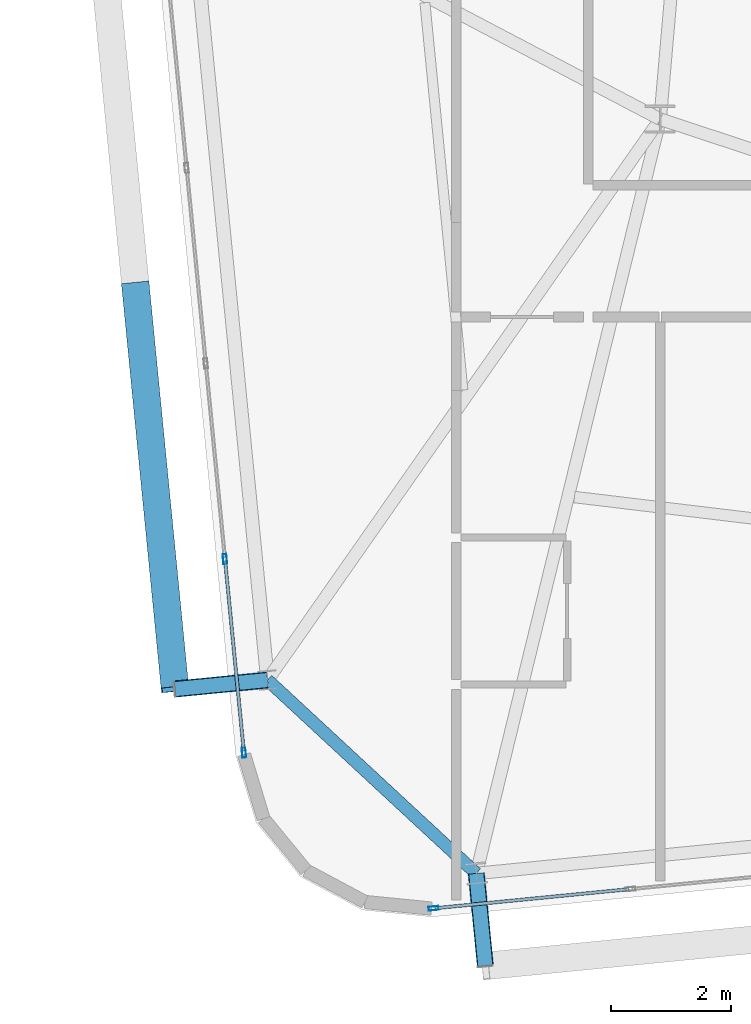
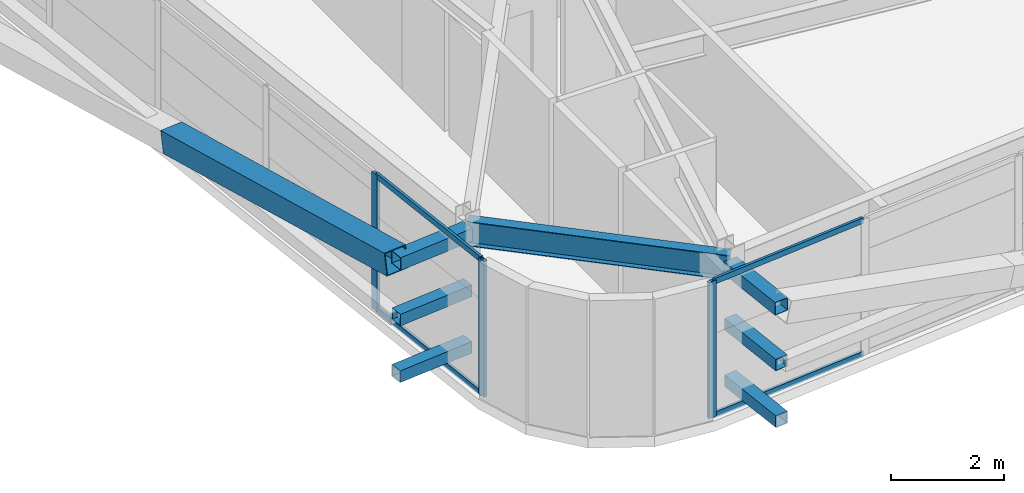
# One storey, part 5 of 52: 14 members, 1 beam, 2 elements without a shape of their own.
"""IFC4 building model written with IfcOpenShell, lengths in metres."""

from ifc_helpers import new_model, si_unit, direction, frame, origin, origin_2d, place, context, subcontext, project, spatial, hollow_rectangle, i_section, extrude, source, transform, mapped, material, layer, layer_set, material_profile, profile_set, type_object, element, aggregate, save


model = new_model("IFC4")

# Units and contexts
model_context = context("Model", 3, precision=1e-05, world=origin(), true_north=direction((0.0, 1.0)))
body_context = subcontext(model_context, "Body", "Model", "MODEL_VIEW")
ifc_project = project(units=[si_unit("LENGTHUNIT", "METRE"), si_unit("AREAUNIT", "SQUARE_METRE"), si_unit("VOLUMEUNIT", "CUBIC_METRE"), si_unit("PLANEANGLEUNIT", "RADIAN"), si_unit("MASSUNIT", "GRAM", prefix="KILO")], contexts=[model_context])

# Site, building, storey
site_placement = place(None, origin())
site = spatial("IfcSite", under=ifc_project, at=site_placement, CompositionType="ELEMENT")
building_placement = place(site_placement, origin())
building = spatial("IfcBuilding", under=site, at=building_placement, Name="Taldren Reach Tower", CompositionType="ELEMENT")
storey_placement = place(building_placement, frame((0.0, 0.0, 77.699951171875)))
storey = spatial("IfcBuildingStorey", under=building, at=storey_placement, Name="L23", CompositionType="ELEMENT", Elevation=77.699951171875)

# Beam
ifc_material_1 = material(Name="Steel Gr 350 (350PLUS)", Category="steel")
ifc_material_profile_1 = material_profile(ifc_material_1, i_section(OverallWidth=0.208984375, OverallDepth=0.528076171875, WebThickness=0.009521484375, FlangeThickness=0.01318359375, at=origin_2d()), Name="530UB82.0")
ifc_profile_set_1 = profile_set([ifc_material_profile_1], Name="Steel Gr 350 (350PLUS)")
beam_type = type_object("IfcBeamType", Name="SP-UB530B", PredefinedType="SPANDREL", material=ifc_profile_set_1)
shared_shape_1 = source(origin(), body_context, "Body", "SweptSolid", [
    extrude(i_section(OverallWidth=0.208984375, OverallDepth=0.528076171875, WebThickness=0.009521484375, FlangeThickness=0.01318359375, at=origin_2d()), origin(), (0.0, 0.0, 1.0), 4.745849609375),
])
beam_placement = place(storey_placement, frame((11.452880859375, 3.145751953125, 2.666015625), z_axis=(0.733524121458, -0.679663419083, 0.0), x_axis=(0.679663419083, 0.733524121458, 0.0)))
element("IfcBeam", 1, at=beam_placement, inside=storey, type_object=beam_type, Name="Perimeter spandrel B2 W1-S1 L23", PredefinedType="SPANDREL", context=body_context, shape_type="MappedRepresentation", body=[
    mapped(shared_shape_1, transform((0.0, 0.0, 0.0), scale=1.0)),
])

# Members
ifc_material_2 = material(Name="Steel Gr 450 (C450L0)", Category="steel")
ifc_material_profile_2 = material_profile(ifc_material_2, hollow_rectangle(XDim=0.27490234375, YDim=0.27490234375, WallThickness=0.00927734375, at=origin_2d()), Name="275x275x9.3SHS")
ifc_profile_set_2 = profile_set([ifc_material_profile_2], Name="Steel Gr 450 (C450L0)")
member_type_1 = type_object("IfcMemberType", Name="MB-TIE273", PredefinedType="STRUT", material=ifc_profile_set_2)
shared_shape_2 = source(origin(), body_context, "Body", "SweptSolid", [
    extrude(hollow_rectangle(XDim=0.27490234375, YDim=0.27490234375, WallThickness=0.00927734375, at=origin_2d()), origin(), (0.0, 0.0, 1.0), 1.550048828125),
])
for number, where, z_axis, x_axis, name in (
    (2, (14.93408203125, -0.079833984375, 2.650146484375), (0.097647892962, -0.9952210252, 0.0), (0.9952210252, 0.097647892962, 0.0), "Exoskeleton diaphragm tie strut B2-S1 L23"),
    (3, (11.452880859375, 3.145751953125, 2.650146484375), (-0.995236318924, -0.097491894511, 0.0), (0.097491894511, -0.995236318924, 0.0), "Exoskeleton diaphragm tie strut B2-W1 L23"),
):
    element("IfcMember", number, at=place(storey_placement, frame(where, z_axis=z_axis, x_axis=x_axis)), inside=storey, type_object=member_type_1, Name=name, PredefinedType="STRUT", context=body_context, shape_type="MappedRepresentation", body=[
        mapped(shared_shape_2, transform((0.0, 0.0, 0.0), scale=1.0)),
    ])
ifc_material_3 = material(Name="Steel Gr 350 (C350L0)", Category="steel")
ifc_material_profile_3 = material_profile(ifc_material_3, hollow_rectangle(XDim=0.25, YDim=0.25, WallThickness=0.010009765625, at=origin_2d()), Name="250x250x10.0SHS")
ifc_profile_set_3 = profile_set([ifc_material_profile_3], Name="Steel Gr 350 (C350L0)")
member_type_2 = type_object("IfcMemberType", Name="MB-POST250", PredefinedType="POST", material=ifc_profile_set_3)
shared_shape_3 = source(origin(), body_context, "Body", "SweptSolid", [
    extrude(hollow_rectangle(XDim=0.25, YDim=0.25, WallThickness=0.010009765625, at=origin_2d()), origin(), (0.0, 0.0, 1.0), 1.550048828125),
])
for number, where, z_axis, x_axis, name in (
    (4, (14.93408203125, -0.079833984375, 0.219970703125), (0.097647892962, -0.9952210252, 0.0), (0.9952210252, 0.097647892962, 0.0), "Exoskeleton base diaphragm tie strut B2-S1 L23"),
    (5, (11.452880859375, 3.145751953125, 0.219970703125), (-0.995236318924, -0.097491894511, 0.0), (0.097491894511, -0.995236318924, 0.0), "Exoskeleton base diaphragm tie strut B2-W1 L23"),
    (6, (14.93408203125, -0.079833984375, 1.43505859375), (0.097647892962, -0.9952210252, 0.0), (0.9952210252, 0.097647892962, 0.0), "Exoskeleton mid-tier diaphragm tie B2-S1 L23"),
    (7, (11.452880859375, 3.145751953125, 1.43505859375), (-0.995236318924, -0.097491894511, 0.0), (0.097491894511, -0.995236318924, 0.0), "Exoskeleton mid-tier diaphragm tie B2-W1 L23"),
):
    element("IfcMember", number, at=place(storey_placement, frame(where, z_axis=z_axis, x_axis=x_axis)), inside=storey, type_object=member_type_2, Name=name, PredefinedType="POST", context=body_context, shape_type="MappedRepresentation", body=[
        mapped(shared_shape_3, transform((0.0, 0.0, 0.0), scale=1.0)),
    ])
ifc_material_profile_4 = material_profile(ifc_material_2, hollow_rectangle(XDim=0.4599609375, YDim=0.4599609375, WallThickness=0.01611328125, at=origin_2d()), Name="460x460x16.0SHS")
ifc_profile_set_4 = profile_set([ifc_material_profile_4], Name="Steel Gr 450 (C450L0)")
member_type_3 = type_object("IfcMemberType", Name="MB-EXO457", PredefinedType="BRACE", material=ifc_profile_set_4)
shared_shape_4 = source(origin(), body_context, "Body", "SweptSolid", [
    extrude(hollow_rectangle(XDim=0.4599609375, YDim=0.4599609375, WallThickness=0.01611328125, at=origin_2d()), origin(), (0.0, 0.0, 1.0), 6.883056640625),
])
member_1_placement = place(storey_placement, frame((9.2490234375, 9.7373046875, 1.43505859375), z_axis=(0.09605145821, -0.97959718347, 0.176531797456), x_axis=(0.995227290009, 0.097584021339, 0.0)))
element("IfcMember", 8, at=member_1_placement, inside=storey, type_object=member_type_3, Name="Exoskeleton Diagrid Brace B2-W1 L23", PredefinedType="BRACE", context=body_context, shape_type="MappedRepresentation", body=[
    mapped(shared_shape_4, transform((0.0, 0.0, 0.0), scale=1.0)),
])

# Curtain wall, member
ifc_material_4 = material(Name="Aluminium and Low-E Glass Unitised System", Category="aluminium")
ifc_layer = layer(ifc_material_4, 0.159912109375)
ifc_layer_set = layer_set([ifc_layer], Name="Aluminium and Low-E Glass Unitised System")
curtain_wall_type = type_object("IfcCurtainWallType", Name="CW-SYS-3", PredefinedType="NOTDEFINED", material=ifc_layer_set)
curtain_wall_1_placement = place(storey_placement, origin())
curtain_wall_1 = element("IfcCurtainWall", 9, at=curtain_wall_1_placement, inside=storey, type_object=curtain_wall_type, Name="Unitised curtain wall CW-L23-S", PredefinedType="NOTDEFINED")
ifc_material_5 = material(Name="Anodised Aluminium 6063-T6", Category="aluminium")
ifc_material_profile_5 = material_profile(ifc_material_5, hollow_rectangle(XDim=0.06494140625, YDim=0.1650390625, WallThickness=0.00390625, at=origin_2d()), Name="ALU-165x65x4RHS")
ifc_profile_set_5 = profile_set([ifc_material_profile_5], Name="Anodised Aluminium 6063-T6")
member_type_4 = type_object("IfcMemberType", Name="CW-MUL-165", PredefinedType="MULLION", material=ifc_profile_set_5)
shared_shape_5 = source(origin(), body_context, "Body", "SweptSolid", [
    extrude(hollow_rectangle(XDim=0.06494140625, YDim=0.1650390625, WallThickness=0.00390625, at=origin_2d()), origin(), (0.0, 0.0, 1.0), 2.929931640625),
])
member_2_placement = place(storey_placement, frame((14.22021484375, -0.662353515625, 0.0), z_axis=(0.0, 0.0, 1.0), x_axis=(-0.097582999046, 0.995227390247, 0.0)))
member_2 = element("IfcMember", 10, at=member_2_placement, type_object=member_type_4, Name="CW-3 mullion 1", PredefinedType="MULLION", context=body_context, shape_type="MappedRepresentation", body=[
    mapped(shared_shape_5, transform((0.0, 0.0, 0.0), scale=1.0)),
])

# Curtain wall, members
curtain_wall_2_placement = place(storey_placement, origin())
curtain_wall_2 = element("IfcCurtainWall", 11, at=curtain_wall_2_placement, inside=storey, type_object=curtain_wall_type, Name="Unitised curtain wall CW-L23-W", PredefinedType="NOTDEFINED")
member_3_placement = place(storey_placement, frame((10.742431640625, 5.163818359375, 0.0), z_axis=(0.0, 0.0, 1.0), x_axis=(0.99522741555, 0.09758274098, 0.0)))
member_3 = element("IfcMember", 12, at=member_3_placement, type_object=member_type_4, Name="CW-3 mullion 9", PredefinedType="MULLION", context=body_context, shape_type="MappedRepresentation", body=[
    mapped(shared_shape_5, transform((0.0, 0.0, 0.0), scale=1.0)),
])
member_4_placement = place(storey_placement, frame((11.05908203125, 1.93408203125, 0.0), z_axis=(0.0, 0.0, 1.0), x_axis=(0.99522741555, 0.09758274098, 0.0)))
member_4 = element("IfcMember", 13, at=member_4_placement, type_object=member_type_4, Name="CW-3 mullion 10", PredefinedType="MULLION", context=body_context, shape_type="MappedRepresentation", body=[
    mapped(shared_shape_5, transform((0.0, 0.0, 0.0), scale=1.0)),
])

# Member
ifc_material_profile_6 = material_profile(ifc_material_5, hollow_rectangle(XDim=0.054931640625, YDim=0.1201171875, WallThickness=0.0029296875, at=origin_2d()), Name="ALU-120x55x3RHS")
ifc_profile_set_6 = profile_set([ifc_material_profile_6], Name="Anodised Aluminium 6063-T6")
member_type_5 = type_object("IfcMemberType", Name="CW-TRN-135", PredefinedType="USERDEFINED", material=ifc_profile_set_6)
shared_shape_6 = source(origin(), body_context, "Body", "SweptSolid", [
    extrude(hollow_rectangle(XDim=0.054931640625, YDim=0.1201171875, WallThickness=0.0029296875, at=origin_2d()), origin(), (0.0, 0.0, 1.0), 3.23583984375),
])
member_5_placement = place(storey_placement, frame((14.25244140625, -0.6591796875, 0.027587890625), z_axis=(0.995230248826, 0.097553840629, 0.0), x_axis=(-0.097553840629, 0.995230248826, 0.0)))
member_5 = element("IfcMember", 14, at=member_5_placement, type_object=member_type_5, Name="CW-3 transom 1.1", ObjectType="TRANSOM", PredefinedType="USERDEFINED", context=body_context, shape_type="MappedRepresentation", body=[
    mapped(shared_shape_6, transform((0.0, 0.0, 0.0), scale=1.0)),
])

member_6_placement = place(storey_placement, frame((14.25244140625, -0.6591796875, 2.902587890625), z_axis=(0.995230248826, 0.097553840629, 0.0), x_axis=(-0.097553840629, 0.995230248826, 0.0)))
member_6 = element("IfcMember", 15, at=member_6_placement, type_object=member_type_5, Name="CW-3 transom 1.2", ObjectType="TRANSOM", PredefinedType="USERDEFINED", context=body_context, shape_type="MappedRepresentation", body=[
    mapped(shared_shape_6, transform((0.0, 0.0, 0.0), scale=1.0)),
])

aggregate(curtain_wall_1, [member_2, member_5, member_6])

shared_shape_7 = source(origin(), body_context, "Body", "SweptSolid", [
    extrude(hollow_rectangle(XDim=0.054931640625, YDim=0.1201171875, WallThickness=0.0029296875, at=origin_2d()), origin(), (0.0, 0.0, 1.0), 3.180419921875),
])
member_7_placement = place(storey_placement, frame((10.74560546875, 5.131591796875, 0.027587890625), z_axis=(0.097565460739, -0.995229109738, 0.0), x_axis=(0.995229109738, 0.097565460739, 0.0)))
member_7 = element("IfcMember", 16, at=member_7_placement, type_object=member_type_5, Name="CW-3 transom 9.1", ObjectType="TRANSOM", PredefinedType="USERDEFINED", context=body_context, shape_type="MappedRepresentation", body=[
    mapped(shared_shape_7, transform((0.0, 0.0, 0.0), scale=1.0)),
])

member_8_placement = place(storey_placement, frame((10.74560546875, 5.131591796875, 2.902587890625), z_axis=(0.097565460739, -0.995229109738, 0.0), x_axis=(0.995229109738, 0.097565460739, 0.0)))
member_8 = element("IfcMember", 17, at=member_8_placement, type_object=member_type_5, Name="CW-3 transom 9.2", ObjectType="TRANSOM", PredefinedType="USERDEFINED", context=body_context, shape_type="MappedRepresentation", body=[
    mapped(shared_shape_7, transform((0.0, 0.0, 0.0), scale=1.0)),
])

aggregate(curtain_wall_2, [member_3, member_4, member_7, member_8])

save(model, "model.ifc")
